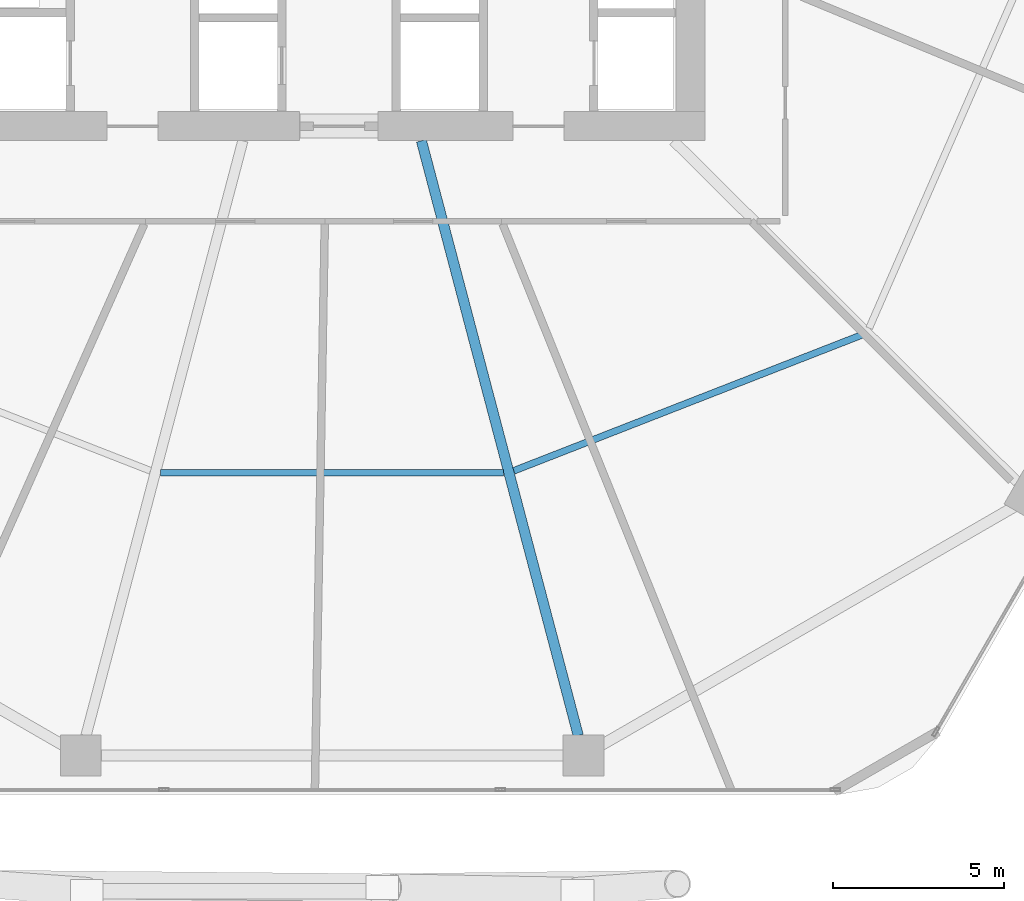
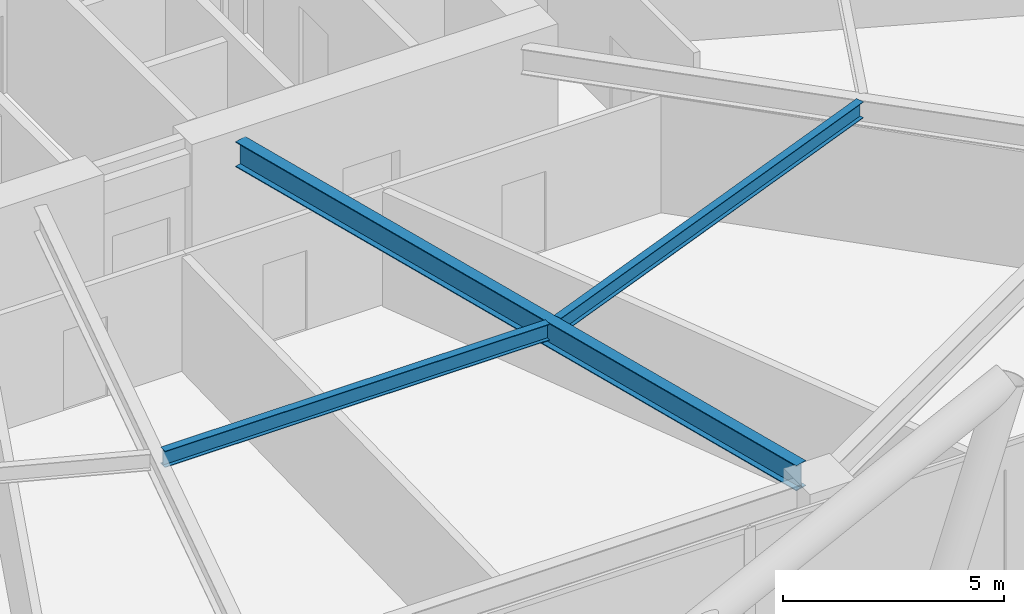
# One storey, part 8 of 28: 3 beams.
"""IFC4 building model written with IfcOpenShell, lengths in metres."""

from ifc_helpers import new_model, si_unit, direction, frame, origin, origin_2d, place, context, subcontext, project, spatial, i_section, extrude, material, material_profile, profile_set, type_object, element, save


model = new_model("IFC4")

# Units and contexts
model_context = context("Model", 3, precision=1e-05, world=origin(), true_north=direction((0.0, 1.0)))
body_context = subcontext(model_context, "Body", "Model", "MODEL_VIEW")
ifc_project = project(units=[si_unit("LENGTHUNIT", "METRE"), si_unit("AREAUNIT", "SQUARE_METRE"), si_unit("VOLUMEUNIT", "CUBIC_METRE"), si_unit("PLANEANGLEUNIT", "RADIAN"), si_unit("MASSUNIT", "GRAM", prefix="KILO")], contexts=[model_context])

# Site, building, storey
site_placement = place(None, origin())
site = spatial("IfcSite", under=ifc_project, at=site_placement, CompositionType="ELEMENT")
building_placement = place(site_placement, origin())
building = spatial("IfcBuilding", under=site, at=building_placement, Name="Zuhravey Tower", CompositionType="ELEMENT")
storey_placement = place(building_placement, frame((0.0, 0.0, 66.60009765625)))
storey = spatial("IfcBuildingStorey", under=building, at=storey_placement, Name="L16", CompositionType="ELEMENT", Elevation=66.60009765625)

# Beams
ifc_material = material(Name="Steel SM355", Category="steel")
ifc_material_profile_1 = material_profile(ifc_material, i_section(OverallWidth=0.300048828125, OverallDepth=0.699951171875, WebThickness=0.012939453125, FlangeThickness=0.02392578125, at=origin_2d()), Name="H-700x300x13x24")
ifc_profile_set_1 = profile_set([ifc_material_profile_1], Name="Steel SM355")
beam_type_1 = type_object("IfcBeamType", Name="Radial Primary Girder H700x300", PredefinedType="BEAM", material=ifc_profile_set_1)
beam_1_placement = place(storey_placement, frame((38.617919921875, 22.072021484375, 3.56982421875), z_axis=(0.254989720435, -0.966943763862, 0.0), x_axis=(0.966943763862, 0.254989720435, 0.0)))
element("IfcBeam", 1, at=beam_1_placement, inside=storey, type_object=beam_type_1, Name="L16 RG1 BM-L16-RAD-10", PredefinedType="BEAM", context=body_context, shape_type="SweptSolid", body=[
    extrude(i_section(OverallWidth=0.300048828125, OverallDepth=0.699951171875, WebThickness=0.012939453125, FlangeThickness=0.02392578125, at=origin_2d()), origin(), (0.0, 0.0, 1.0), 18.03369140625),
])
ifc_material_profile_2 = material_profile(ifc_material, i_section(OverallWidth=0.199951171875, OverallDepth=0.449951171875, WebThickness=0.009033203125, FlangeThickness=0.013916015625, at=origin_2d()), Name="H-450x200x9x14")
ifc_profile_set_2 = profile_set([ifc_material_profile_2], Name="Steel SM355")
beam_type_2 = type_object("IfcBeamType", Name="Secondary Floor Joist H450x200", PredefinedType="JOIST", material=ifc_profile_set_2)
beam_2_placement = place(storey_placement, frame((30.969970703125, 12.3408203125, 3.69482421875), z_axis=(1.0, 0.0, 0.0), x_axis=(0.0, 1.0, 0.0)))
element("IfcBeam", 2, at=beam_2_placement, inside=storey, type_object=beam_type_2, Name="L16 SJ1 BM-L16-SJ-09-1", PredefinedType="JOIST", context=body_context, shape_type="SweptSolid", body=[
    extrude(i_section(OverallWidth=0.199951171875, OverallDepth=0.449951171875, WebThickness=0.009033203125, FlangeThickness=0.013916015625, at=origin_2d()), origin(), (0.0, 0.0, 1.0), 10.06005859375),
])
beam_3_placement = place(storey_placement, frame((41.32763671875, 12.39697265625, 3.69482421875), z_axis=(0.931516535886, 0.363698973562, 0.0), x_axis=(-0.363698973562, 0.931516535886, 0.0)))
element("IfcBeam", 3, at=beam_3_placement, inside=storey, type_object=beam_type_2, Name="L16 SJ1 BM-L16-SJ-10-1", PredefinedType="JOIST", context=body_context, shape_type="SweptSolid", body=[
    extrude(i_section(OverallWidth=0.199951171875, OverallDepth=0.449951171875, WebThickness=0.009033203125, FlangeThickness=0.013916015625, at=origin_2d()), origin(), (0.0, 0.0, 1.0), 10.963134765625),
])

save(model, "model.ifc")
